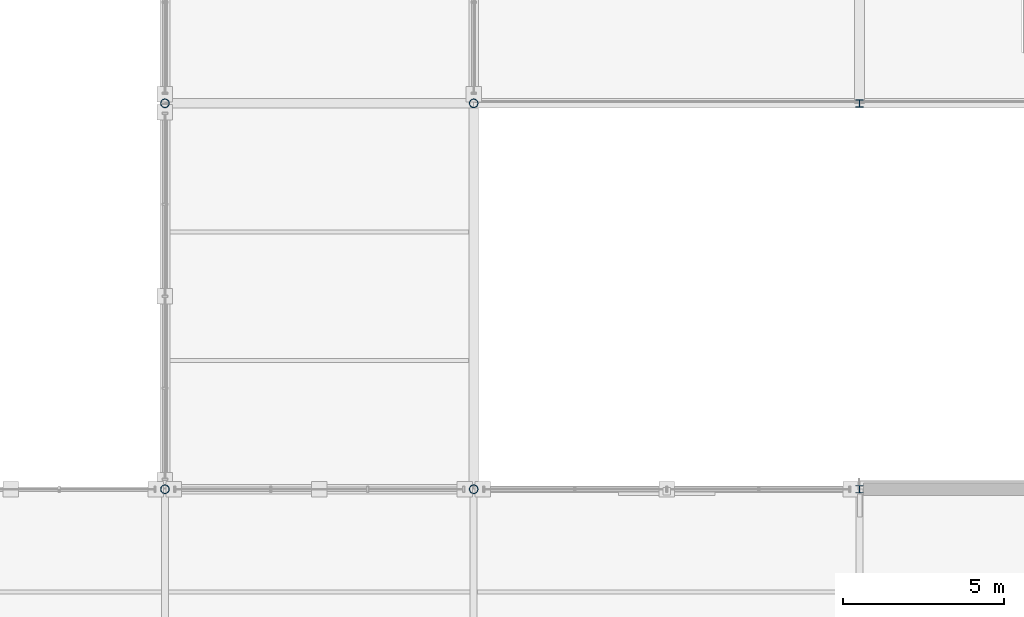
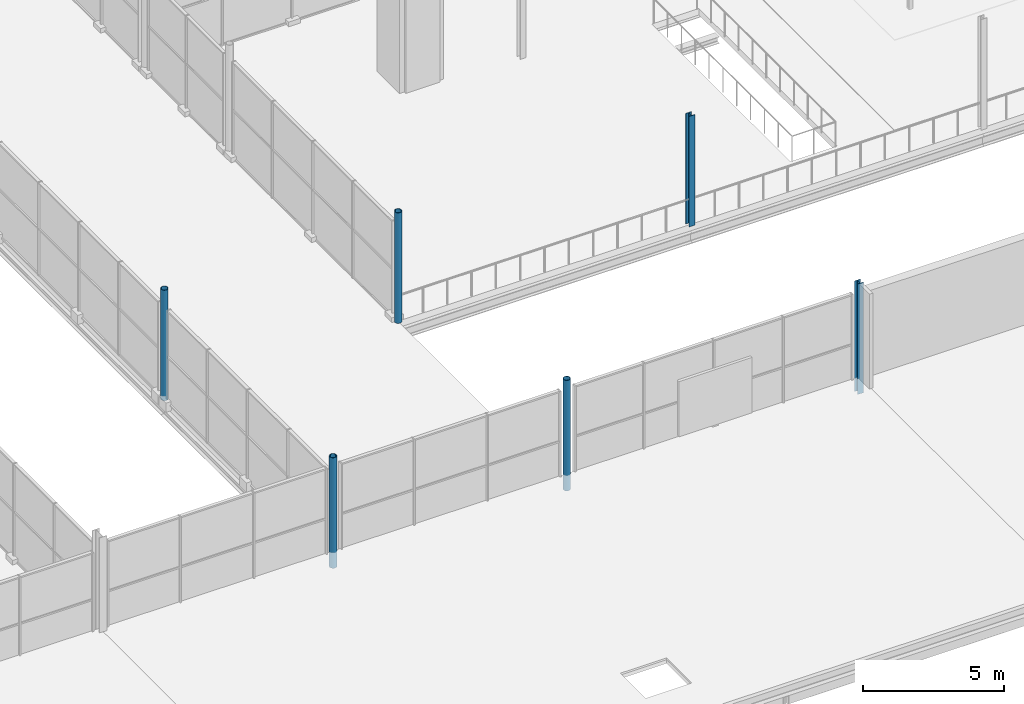
# One storey, part 6 of 159: 6 columns.
"""IFC4 building model written with IfcOpenShell, lengths in metres."""

import ifcopenshell
import ifcopenshell.guid

model = None  # the IFC model being written
_history = None  # IfcOwnerHistory: only IFC2X3 demands one
_inside = {}  # id of a spatial element -> (the spatial element, [elements in it])
_under = {}  # id of a project, library or spatial element -> (it, [spatial elements below it])
_declared = {}  # id of a project -> (the project, [libraries it declares])
_typed = {}  # id of a type object -> (the type object, [elements of that type])
_made_of = {}  # id of a material, layer set ... -> (it, [elements and type objects made of it])


def new_model(schema):
    """Start an empty IFC model of exactly this schema.

    Asked for "IFC4X3", IfcOpenShell would pick the latest addendum, in which some entities
    have other attributes; the version numbers below select the first issue.
    IFC2X3 requires an IfcOwnerHistory on every rooted entity: one is made here for all.
    """
    global model, _history
    if schema == "IFC4X3":
        model = ifcopenshell.file(schema_version=(4, 3, 0, 0))
    else:
        model = ifcopenshell.file(schema=schema)
    _inside.clear()
    _under.clear()
    _declared.clear()
    _typed.clear()
    _made_of.clear()
    _history = None
    if model.schema == "IFC2X3":
        org = make("IfcOrganization", Name="unknown")
        user = make(
            "IfcPersonAndOrganization",
            ThePerson=make("IfcPerson", FamilyName="unknown"),
            TheOrganization=org,
        )
        app = make(
            "IfcApplication",
            ApplicationDeveloper=org,
            Version="unknown",
            ApplicationFullName="unknown",
            ApplicationIdentifier="unknown",
        )
        _history = make(
            "IfcOwnerHistory",
            OwningUser=user,
            OwningApplication=app,
            ChangeAction="ADDED",
            CreationDate=0,
        )
    return model


def make(cls, **values):
    """One entity of the class cls with the attributes given. An attribute that is None is left unset."""
    return model.create_entity(
        cls, **{name: value for name, value in values.items() if value is not None}
    )


def rooted(cls, **values):
    """An entity with a GlobalId (a new one), such as an element, a storey or a relation."""
    return make(cls, GlobalId=ifcopenshell.guid.new(), OwnerHistory=_history, **values)


def si_unit(unit_type, name, prefix=None):
    """IfcSIUnit, for example si_unit("LENGTHUNIT", "METRE", prefix="MILLI")."""
    return make("IfcSIUnit", UnitType=unit_type, Prefix=prefix, Name=name)


def assignment(units):
    """IfcUnitAssignment: the units of a project."""
    return None if units is None else make("IfcUnitAssignment", Units=units)


def point(xyz):
    """IfcCartesianPoint."""
    return None if xyz is None else make("IfcCartesianPoint", Coordinates=xyz)


def direction(xyz):
    """IfcDirection."""
    return None if xyz is None else make("IfcDirection", DirectionRatios=xyz)


def frame(location, z_axis=None, x_axis=None):
    """IfcAxis2Placement3D, a coordinate frame: its origin and axes. An axis left out is left unset."""
    return make(
        "IfcAxis2Placement3D",
        Location=point(location),
        Axis=direction(z_axis),
        RefDirection=direction(x_axis),
    )


def frame_2d(location, x_axis=None):
    """IfcAxis2Placement2D, a coordinate frame in the plane: its origin and x axis."""
    return make(
        "IfcAxis2Placement2D", Location=point(location), RefDirection=direction(x_axis)
    )


def origin():
    """The frame at (0, 0, 0) with its axes left unset."""
    return frame((0.0, 0.0, 0.0))


def origin_2d():
    """The frame at (0, 0) in the plane with its x axis left unset."""
    return frame_2d((0.0, 0.0))


def place(relative_to, where):
    """IfcLocalPlacement: puts the frame where relative to a parent placement (None: the world)."""
    return make(
        "IfcLocalPlacement", PlacementRelTo=relative_to, RelativePlacement=where
    )


def context(
    kind, dimensions, precision=None, world=None, true_north=None, identifier=None
):
    """IfcGeometricRepresentationContext, for example the 3D "Model" context."""
    return make(
        "IfcGeometricRepresentationContext",
        ContextIdentifier=identifier,
        ContextType=kind,
        CoordinateSpaceDimension=dimensions,
        Precision=precision,
        WorldCoordinateSystem=world,
        TrueNorth=true_north,
    )


def subcontext(parent, identifier, kind, view, scale=None):
    """IfcGeometricRepresentationSubContext, for example "Body" below "Model"."""
    return make(
        "IfcGeometricRepresentationSubContext",
        ContextIdentifier=identifier,
        ContextType=kind,
        ParentContext=parent,
        TargetScale=scale,
        TargetView=view,
    )


def project(units=None, contexts=None):
    """IfcProject with its units and contexts."""
    return rooted(
        "IfcProject",
        Name="project",
        RepresentationContexts=contexts,
        UnitsInContext=assignment(units),
    )


def spatial(cls, under=None, at=None, **own):
    """A site, building, storey or space (cls), placed at a placement, below another one or the project."""
    s = rooted(cls, ObjectPlacement=at, **own)
    if under is not None:
        _under.setdefault(under.id(), (under, []))[1].append(s)
    return s


def profile(cls, at=None, kind="AREA", **sizes):
    """A parametric profile (cls). Its sizes go by their IFC names, for example OverallWidth=200.0."""
    return make(cls, ProfileType=kind, Position=at, **sizes)


def hollow_circle(**sizes):
    """IfcCircleHollowProfileDef."""
    return profile("IfcCircleHollowProfileDef", **sizes)


def i_section(**sizes):
    """IfcIShapeProfileDef."""
    return profile("IfcIShapeProfileDef", **sizes)


def extrude(swept, where, along, depth):
    """IfcExtrudedAreaSolid: the profile swept, set in the frame where, extruded along a direction by depth."""
    return make(
        "IfcExtrudedAreaSolid",
        SweptArea=swept,
        Position=where,
        ExtrudedDirection=direction(along),
        Depth=depth,
    )


def shape(context_of_items, identifier, shape_type, items):
    """IfcShapeRepresentation: the items that make up one representation, for example the "Body"."""
    return make(
        "IfcShapeRepresentation",
        ContextOfItems=context_of_items,
        RepresentationIdentifier=identifier,
        RepresentationType=shape_type,
        Items=items,
    )


def material(Name=None, Category=None):
    """IfcMaterial."""
    return make("IfcMaterial", Name=Name, Category=Category)


def material_profile(
    of_material, cross_section, Name=None, Category=None, Priority=None
):
    """IfcMaterialProfile: a cross section and its material."""
    return make(
        "IfcMaterialProfile",
        Name=Name,
        Material=of_material,
        Profile=cross_section,
        Priority=Priority,
        Category=Category,
    )


def profile_set(profiles, Name=None, composite=None):
    """IfcMaterialProfileSet."""
    return make(
        "IfcMaterialProfileSet",
        Name=Name,
        MaterialProfiles=profiles,
        CompositeProfile=composite,
    )


def made_of(thing, what):
    """Note that an element or type object is made of a material, layer set ...; save() writes the relation."""
    if what is not None:
        _made_of.setdefault(what.id(), (what, []))[1].append(thing)
    return thing


def type_object(cls, material=None, **own):
    """A type object (cls), such as IfcWallType, which elements share."""
    return made_of(rooted(cls, **own), material)


def element(
    cls,
    number,
    at=None,
    inside=None,
    cuts=None,
    type_object=None,
    material=None,
    context=None,
    identifier="Body",
    shape_type=None,
    held_by="IfcProductDefinitionShape",
    body=None,
    shapes=None,
    **own,
):
    """One element of the class cls, such as IfcWall. Its Tag is "e" and its number.

    at: its placement. inside: the storey or other place that contains it. cuts: it is an
    opening in that element (IfcRelVoidsElement). A single representation is given by context,
    identifier, shape_type and body (its items); several are given by shapes. held_by: the class
    of the entity that holds the representations. save() writes the other relations.
    """
    e = rooted(cls, Tag="e%d" % number, ObjectPlacement=at, **own)
    if body is not None:
        shapes = [shape(context, identifier, shape_type, body)]
    if shapes is not None:
        e.Representation = make(held_by, Representations=shapes)
    if inside is not None:
        _inside.setdefault(inside.id(), (inside, []))[1].append(e)
    if cuts is not None:
        rooted(
            "IfcRelVoidsElement", RelatingBuildingElement=cuts, RelatedOpeningElement=e
        )
    if type_object is not None:
        _typed.setdefault(type_object.id(), (type_object, []))[1].append(e)
    return made_of(e, material)


def aggregate(whole, parts):
    """IfcRelAggregates: a whole, such as a stair, and the parts it consists of."""
    return rooted("IfcRelAggregates", RelatingObject=whole, RelatedObjects=parts)


def save(model, path):
    """Write the relations noted so far, then the file.

    IfcRelAggregates (storeys below a building ...), IfcRelContainedInSpatialStructure (elements
    in a storey), IfcRelDefinesByType, IfcRelAssociatesMaterial and IfcRelDeclares: one each for
    every whole, place, type object, material and project.
    """
    for whole, parts in _under.values():
        aggregate(whole, parts)
    for where, things in _inside.values():
        rooted(
            "IfcRelContainedInSpatialStructure",
            RelatedElements=things,
            RelatingStructure=where,
        )
    for kind, things in _typed.values():
        rooted("IfcRelDefinesByType", RelatedObjects=things, RelatingType=kind)
    for what, things in _made_of.values():
        rooted("IfcRelAssociatesMaterial", RelatedObjects=things, RelatingMaterial=what)
    for by, libraries in _declared.values():
        rooted("IfcRelDeclares", RelatingContext=by, RelatedDefinitions=libraries)
    model.write(path)


model = new_model("IFC4")

# Units and contexts
model_context = context("Model", 3, precision=1e-05, world=origin(), true_north=direction((0.0, 1.0)))
body_context = subcontext(model_context, "Body", "Model", "MODEL_VIEW")
ifc_project = project(units=[si_unit("LENGTHUNIT", "METRE"), si_unit("AREAUNIT", "SQUARE_METRE"), si_unit("VOLUMEUNIT", "CUBIC_METRE"), si_unit("PLANEANGLEUNIT", "RADIAN"), si_unit("MASSUNIT", "GRAM", prefix="KILO")], contexts=[model_context])

# Site, building, storey
site_placement = place(None, origin())
site = spatial("IfcSite", under=ifc_project, at=site_placement, CompositionType="ELEMENT")
building_placement = place(site_placement, origin())
building = spatial("IfcBuilding", under=site, at=building_placement, Name="Merenkruunu Market Hall", CompositionType="ELEMENT")
storey_placement = place(building_placement, frame((0.0, 0.0, 5.39990234375)))
storey = spatial("IfcBuildingStorey", under=building, at=storey_placement, Name="L01", CompositionType="ELEMENT", Elevation=5.39990234375)

# Columns
ifc_material_1 = material(Name="Steel S355J2", Category="steel")
ifc_material_profile_1 = material_profile(ifc_material_1, i_section(OverallWidth=0.239990234375, OverallDepth=0.22998046875, WebThickness=0.007568359375, FlangeThickness=0.011962890625, FilletRadius=0.02099609375, at=origin_2d()), Name="HEA 240")
ifc_profile_set_1 = profile_set([ifc_material_profile_1], Name="Steel S355J2")
column_type_1 = type_object("IfcColumnType", Name="Structural Column C10", PredefinedType="COLUMN", material=ifc_profile_set_1)
for number, where, z_axis, x_axis, name in (
    (1, (88.800048828125, 15.60009765625, 0.0), (0.0, 0.0, 1.0), (1.0, 0.0, 0.0), "COL-L01-K-03"),
    (2, (88.800048828125, 27.60009765625, 0.0), (0.0, 0.0, 1.0), (1.0, 0.0, 0.0), "COL-L01-K-04"),
):
    element("IfcColumn", number, at=place(storey_placement, frame(where, z_axis=z_axis, x_axis=x_axis)), inside=storey, type_object=column_type_1, Name=name, PredefinedType="COLUMN", context=body_context, shape_type="SweptSolid", body=[
        extrude(i_section(OverallWidth=0.239990234375, OverallDepth=0.22998046875, WebThickness=0.007568359375, FlangeThickness=0.011962890625, FilletRadius=0.02099609375, at=origin_2d()), origin(), (0.0, 0.0, 1.0), 4.800048828125),
    ])
ifc_material_2 = material(Name="Steel S355ML", Category="steel")
ifc_material_profile_2 = material_profile(ifc_material_2, hollow_circle(Radius=0.136474609375, WallThickness=0.012451171875, at=origin_2d()), Name="CHS 273x12.5")
ifc_profile_set_2 = profile_set([ifc_material_profile_2], Name="Steel S355ML")
column_type_2 = type_object("IfcColumnType", Name="Structural Column C14", PredefinedType="COLUMN", material=ifc_profile_set_2)
for number, where, z_axis, x_axis, name in (
    (3, (67.199951171875, 15.60009765625, 0.0), (0.0, 0.0, 1.0), (1.0, 0.0, 0.0), "COL-L01-H-03"),
    (4, (67.199951171875, 27.60009765625, 0.0), (0.0, 0.0, 1.0), (1.0, 0.0, 0.0), "COL-L01-H-04"),
    (5, (76.800048828125, 15.60009765625, 0.0), (0.0, 0.0, 1.0), (1.0, 0.0, 0.0), "COL-L01-J-03"),
    (6, (76.800048828125, 27.60009765625, 0.0), (0.0, 0.0, 1.0), (1.0, 0.0, 0.0), "COL-L01-J-04"),
):
    element("IfcColumn", number, at=place(storey_placement, frame(where, z_axis=z_axis, x_axis=x_axis)), inside=storey, type_object=column_type_2, Name=name, PredefinedType="COLUMN", context=body_context, shape_type="SweptSolid", body=[
        extrude(hollow_circle(Radius=0.136474609375, WallThickness=0.012451171875, at=origin_2d()), origin(), (0.0, 0.0, 1.0), 4.800048828125),
    ])

save(model, "model.ifc")
